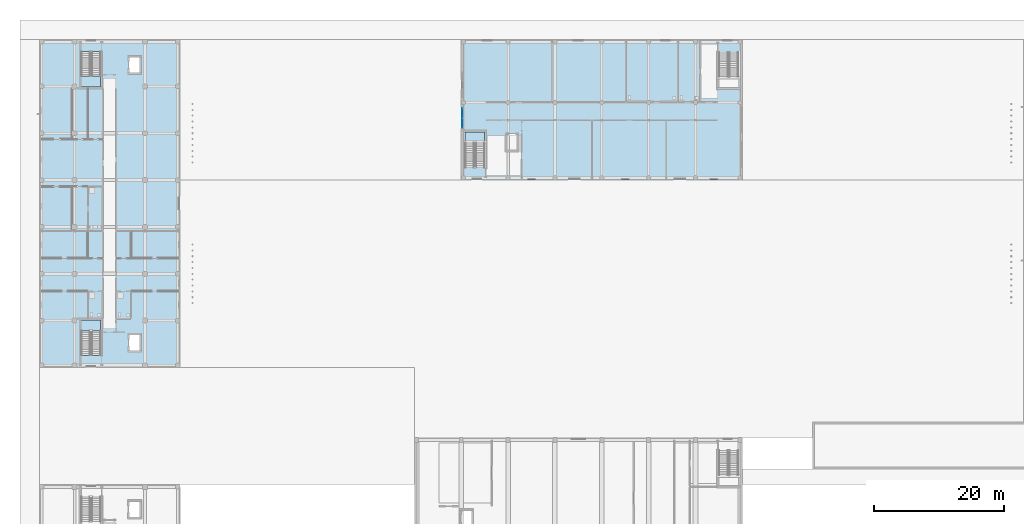
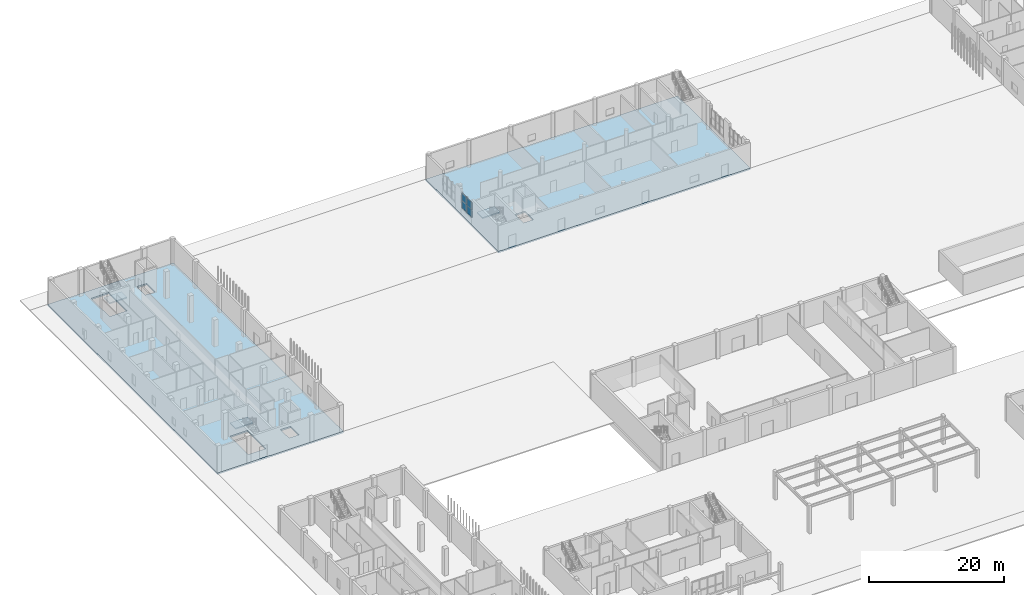
# One storey, part 32 of 85: 5 slabs, 4 plates, 4 elements without a shape of their own.
"""IFC4 building model written with IfcOpenShell, lengths in metres."""

import ifcopenshell
import ifcopenshell.guid

model = None  # the IFC model being written
_history = None  # IfcOwnerHistory: only IFC2X3 demands one
_inside = {}  # id of a spatial element -> (the spatial element, [elements in it])
_under = {}  # id of a project, library or spatial element -> (it, [spatial elements below it])
_declared = {}  # id of a project -> (the project, [libraries it declares])
_typed = {}  # id of a type object -> (the type object, [elements of that type])
_made_of = {}  # id of a material, layer set ... -> (it, [elements and type objects made of it])


def new_model(schema):
    """Start an empty IFC model of exactly this schema.

    Asked for "IFC4X3", IfcOpenShell would pick the latest addendum, in which some entities
    have other attributes; the version numbers below select the first issue.
    IFC2X3 requires an IfcOwnerHistory on every rooted entity: one is made here for all.
    """
    global model, _history
    if schema == "IFC4X3":
        model = ifcopenshell.file(schema_version=(4, 3, 0, 0))
    else:
        model = ifcopenshell.file(schema=schema)
    _inside.clear()
    _under.clear()
    _declared.clear()
    _typed.clear()
    _made_of.clear()
    _history = None
    if model.schema == "IFC2X3":
        org = make("IfcOrganization", Name="unknown")
        user = make(
            "IfcPersonAndOrganization",
            ThePerson=make("IfcPerson", FamilyName="unknown"),
            TheOrganization=org,
        )
        app = make(
            "IfcApplication",
            ApplicationDeveloper=org,
            Version="unknown",
            ApplicationFullName="unknown",
            ApplicationIdentifier="unknown",
        )
        _history = make(
            "IfcOwnerHistory",
            OwningUser=user,
            OwningApplication=app,
            ChangeAction="ADDED",
            CreationDate=0,
        )
    return model


def make(cls, **values):
    """One entity of the class cls with the attributes given. An attribute that is None is left unset."""
    return model.create_entity(
        cls, **{name: value for name, value in values.items() if value is not None}
    )


def rooted(cls, **values):
    """An entity with a GlobalId (a new one), such as an element, a storey or a relation."""
    return make(cls, GlobalId=ifcopenshell.guid.new(), OwnerHistory=_history, **values)


def si_unit(unit_type, name, prefix=None):
    """IfcSIUnit, for example si_unit("LENGTHUNIT", "METRE", prefix="MILLI")."""
    return make("IfcSIUnit", UnitType=unit_type, Prefix=prefix, Name=name)


def derived_unit(unit_type, elements):
    """IfcDerivedUnit: a product of units, each with its exponent."""
    return make(
        "IfcDerivedUnit",
        Elements=[
            make("IfcDerivedUnitElement", Unit=unit, Exponent=power)
            for unit, power in elements
        ],
        UnitType=unit_type,
    )


def assignment(units):
    """IfcUnitAssignment: the units of a project."""
    return None if units is None else make("IfcUnitAssignment", Units=units)


def point(xyz):
    """IfcCartesianPoint."""
    return None if xyz is None else make("IfcCartesianPoint", Coordinates=xyz)


def direction(xyz):
    """IfcDirection."""
    return None if xyz is None else make("IfcDirection", DirectionRatios=xyz)


def frame(location, z_axis=None, x_axis=None):
    """IfcAxis2Placement3D, a coordinate frame: its origin and axes. An axis left out is left unset."""
    return make(
        "IfcAxis2Placement3D",
        Location=point(location),
        Axis=direction(z_axis),
        RefDirection=direction(x_axis),
    )


def frame_2d(location, x_axis=None):
    """IfcAxis2Placement2D, a coordinate frame in the plane: its origin and x axis."""
    return make(
        "IfcAxis2Placement2D", Location=point(location), RefDirection=direction(x_axis)
    )


def origin():
    """The frame at (0, 0, 0) with its axes left unset."""
    return frame((0.0, 0.0, 0.0))


def origin_2d():
    """The frame at (0, 0) in the plane with its x axis left unset."""
    return frame_2d((0.0, 0.0))


def place(relative_to, where):
    """IfcLocalPlacement: puts the frame where relative to a parent placement (None: the world)."""
    return make(
        "IfcLocalPlacement", PlacementRelTo=relative_to, RelativePlacement=where
    )


def context(
    kind, dimensions, precision=None, world=None, true_north=None, identifier=None
):
    """IfcGeometricRepresentationContext, for example the 3D "Model" context."""
    return make(
        "IfcGeometricRepresentationContext",
        ContextIdentifier=identifier,
        ContextType=kind,
        CoordinateSpaceDimension=dimensions,
        Precision=precision,
        WorldCoordinateSystem=world,
        TrueNorth=true_north,
    )


def subcontext(parent, identifier, kind, view, scale=None):
    """IfcGeometricRepresentationSubContext, for example "Body" below "Model"."""
    return make(
        "IfcGeometricRepresentationSubContext",
        ContextIdentifier=identifier,
        ContextType=kind,
        ParentContext=parent,
        TargetScale=scale,
        TargetView=view,
    )


def project(units=None, contexts=None):
    """IfcProject with its units and contexts."""
    return rooted(
        "IfcProject",
        Name="project",
        RepresentationContexts=contexts,
        UnitsInContext=assignment(units),
    )


def spatial(cls, under=None, at=None, **own):
    """A site, building, storey or space (cls), placed at a placement, below another one or the project."""
    s = rooted(cls, ObjectPlacement=at, **own)
    if under is not None:
        _under.setdefault(under.id(), (under, []))[1].append(s)
    return s


def polyline(points):
    """IfcPolyline through the points."""
    return make("IfcPolyline", Points=[point(p) for p in points])


def profile(cls, at=None, kind="AREA", **sizes):
    """A parametric profile (cls). Its sizes go by their IFC names, for example OverallWidth=200.0."""
    return make(cls, ProfileType=kind, Position=at, **sizes)


def rectangle(**sizes):
    """IfcRectangleProfileDef."""
    return profile("IfcRectangleProfileDef", **sizes)


def outline(outer, holes=None, kind="AREA"):
    """IfcArbitraryClosedProfileDef: a profile drawn as a closed curve; with holes, ...WithVoids."""
    if holes is None:
        return make("IfcArbitraryClosedProfileDef", ProfileType=kind, OuterCurve=outer)
    return make(
        "IfcArbitraryProfileDefWithVoids",
        ProfileType=kind,
        OuterCurve=outer,
        InnerCurves=holes,
    )


def extrude(swept, where, along, depth):
    """IfcExtrudedAreaSolid: the profile swept, set in the frame where, extruded along a direction by depth."""
    return make(
        "IfcExtrudedAreaSolid",
        SweptArea=swept,
        Position=where,
        ExtrudedDirection=direction(along),
        Depth=depth,
    )


def shape(context_of_items, identifier, shape_type, items):
    """IfcShapeRepresentation: the items that make up one representation, for example the "Body"."""
    return make(
        "IfcShapeRepresentation",
        ContextOfItems=context_of_items,
        RepresentationIdentifier=identifier,
        RepresentationType=shape_type,
        Items=items,
    )


def material(Name=None, Category=None):
    """IfcMaterial."""
    return make("IfcMaterial", Name=Name, Category=Category)


def layer(
    of_material, thickness, ventilated=None, Name=None, Category=None, Priority=None
):
    """IfcMaterialLayer: one layer of a wall or slab, of a material (None: an air gap)."""
    return make(
        "IfcMaterialLayer",
        Material=of_material,
        LayerThickness=thickness,
        IsVentilated=ventilated,
        Name=Name,
        Category=Category,
        Priority=Priority,
    )


def layer_set(layers, Name=None):
    """IfcMaterialLayerSet."""
    return make("IfcMaterialLayerSet", MaterialLayers=layers, LayerSetName=Name)


def made_of(thing, what):
    """Note that an element or type object is made of a material, layer set ...; save() writes the relation."""
    if what is not None:
        _made_of.setdefault(what.id(), (what, []))[1].append(thing)
    return thing


def type_object(cls, material=None, **own):
    """A type object (cls), such as IfcWallType, which elements share."""
    return made_of(rooted(cls, **own), material)


def element(
    cls,
    number,
    at=None,
    inside=None,
    cuts=None,
    type_object=None,
    material=None,
    context=None,
    identifier="Body",
    shape_type=None,
    held_by="IfcProductDefinitionShape",
    body=None,
    shapes=None,
    **own,
):
    """One element of the class cls, such as IfcWall. Its Tag is "e" and its number.

    at: its placement. inside: the storey or other place that contains it. cuts: it is an
    opening in that element (IfcRelVoidsElement). A single representation is given by context,
    identifier, shape_type and body (its items); several are given by shapes. held_by: the class
    of the entity that holds the representations. save() writes the other relations.
    """
    e = rooted(cls, Tag="e%d" % number, ObjectPlacement=at, **own)
    if body is not None:
        shapes = [shape(context, identifier, shape_type, body)]
    if shapes is not None:
        e.Representation = make(held_by, Representations=shapes)
    if inside is not None:
        _inside.setdefault(inside.id(), (inside, []))[1].append(e)
    if cuts is not None:
        rooted(
            "IfcRelVoidsElement", RelatingBuildingElement=cuts, RelatedOpeningElement=e
        )
    if type_object is not None:
        _typed.setdefault(type_object.id(), (type_object, []))[1].append(e)
    return made_of(e, material)


def aggregate(whole, parts):
    """IfcRelAggregates: a whole, such as a stair, and the parts it consists of."""
    return rooted("IfcRelAggregates", RelatingObject=whole, RelatedObjects=parts)


def save(model, path):
    """Write the relations noted so far, then the file.

    IfcRelAggregates (storeys below a building ...), IfcRelContainedInSpatialStructure (elements
    in a storey), IfcRelDefinesByType, IfcRelAssociatesMaterial and IfcRelDeclares: one each for
    every whole, place, type object, material and project.
    """
    for whole, parts in _under.values():
        aggregate(whole, parts)
    for where, things in _inside.values():
        rooted(
            "IfcRelContainedInSpatialStructure",
            RelatedElements=things,
            RelatingStructure=where,
        )
    for kind, things in _typed.values():
        rooted("IfcRelDefinesByType", RelatedObjects=things, RelatingType=kind)
    for what, things in _made_of.values():
        rooted("IfcRelAssociatesMaterial", RelatedObjects=things, RelatingMaterial=what)
    for by, libraries in _declared.values():
        rooted("IfcRelDeclares", RelatingContext=by, RelatedDefinitions=libraries)
    model.write(path)


model = new_model("IFC4")

# Units and contexts
model_context = context("Model", 3, precision=1e-05, world=origin(), true_north=direction((0.0, 1.0)))
body_context = subcontext(model_context, "Body", "Model", "MODEL_VIEW")
ifc_project = project(units=[si_unit("LENGTHUNIT", "METRE"), si_unit("AREAUNIT", "SQUARE_METRE"), si_unit("VOLUMEUNIT", "CUBIC_METRE"), si_unit("PLANEANGLEUNIT", "RADIAN"), si_unit("MASSUNIT", "GRAM", prefix="KILO"), derived_unit("THERMALTRANSMITTANCEUNIT", [(si_unit("MASSUNIT", "GRAM", prefix="KILO"), 1), (si_unit("TIMEUNIT", "SECOND"), -3), (si_unit("THERMODYNAMICTEMPERATUREUNIT", "KELVIN"), -1)])], contexts=[model_context])

# Site, building, storey
site_placement = place(None, origin())
site = spatial("IfcSite", under=ifc_project, at=site_placement, CompositionType="ELEMENT")
building_placement = place(site_placement, origin())
building = spatial("IfcBuilding", under=site, at=building_placement, Name="Ochrekiln Boulevard Commons", CompositionType="ELEMENT")
storey_placement = place(building_placement, origin())
storey = spatial("IfcBuildingStorey", under=building, at=storey_placement, Name="L00", CompositionType="ELEMENT", Elevation=0.0)

# Curtain wall, plates
ifc_material_1 = material(Name="Bronze-anodized extruded aluminium 6063-T6", Category="aluminium")
ifc_layer_1 = layer(ifc_material_1, 0.219970703125)
ifc_layer_set_1 = layer_set([ifc_layer_1], Name="Bronze-anodized extruded aluminium 6063-T6")
curtain_wall_type = type_object("IfcCurtainWallType", Name="CW-NUR", PredefinedType="USERDEFINED", material=ifc_layer_set_1)
curtain_wall_placement = place(storey_placement, origin())
curtain_wall = element("IfcCurtainWall", 1, at=curtain_wall_placement, inside=storey, type_object=curtain_wall_type, Name="Nursery L00 Garden End Curtain Wall W-1", ObjectType="GLAZED CURTAIN WALL", PredefinedType="USERDEFINED")
ifc_material_2 = material(Name="Spectrally selective low-E insulated glazing", Category="glass")
ifc_layer_2 = layer(ifc_material_2, 0.0419921875)
ifc_layer_set_2 = layer_set([ifc_layer_2], Name="Spectrally selective low-E insulated glazing")
plate_type = type_object("IfcPlateType", Name="CWP-GLZ-4", PredefinedType="CURTAIN_PANEL", material=ifc_layer_set_2)
plate_1_placement = place(storey_placement, frame((64.9599609375, 105.9912109375, 1.1748046875), z_axis=(0.0, 0.0, 1.0), x_axis=(0.0, 1.0, 0.0)))
plate_1 = element("IfcPlate", 2, at=plate_1_placement, type_object=plate_type, Name="CW-05 panel 1.1", PredefinedType="CURTAIN_PANEL", context=body_context, shape_type="SweptSolid", body=[
    extrude(rectangle(XDim=1.452392578125, YDim=0.0419921875, at=origin_2d()), origin(), (0.0, 0.0, 1.0), 1.322509765625),
])
plate_2_placement = place(storey_placement, frame((64.9599609375, 105.9912109375, 2.5625), z_axis=(0.0, 0.0, 1.0), x_axis=(0.0, 1.0, 0.0)))
plate_2 = element("IfcPlate", 3, at=plate_2_placement, type_object=plate_type, Name="CW-05 panel 1.2", PredefinedType="CURTAIN_PANEL", context=body_context, shape_type="SweptSolid", body=[
    extrude(rectangle(XDim=1.452392578125, YDim=0.0419921875, at=origin_2d()), origin(), (0.0, 0.0, 1.0), 1.322509765625),
])
plate_3_placement = place(storey_placement, frame((64.9599609375, 107.5087890625, 1.1748046875), z_axis=(0.0, 0.0, 1.0), x_axis=(0.0, 1.0, 0.0)))
plate_3 = element("IfcPlate", 4, at=plate_3_placement, type_object=plate_type, Name="CW-05 panel 2.1", PredefinedType="CURTAIN_PANEL", context=body_context, shape_type="SweptSolid", body=[
    extrude(rectangle(XDim=1.452392578125, YDim=0.0419921875, at=origin_2d()), origin(), (0.0, 0.0, 1.0), 1.322509765625),
])
plate_4_placement = place(storey_placement, frame((64.9599609375, 107.5087890625, 2.5625), z_axis=(0.0, 0.0, 1.0), x_axis=(0.0, 1.0, 0.0)))
plate_4 = element("IfcPlate", 5, at=plate_4_placement, type_object=plate_type, Name="CW-05 panel 2.2", PredefinedType="CURTAIN_PANEL", context=body_context, shape_type="SweptSolid", body=[
    extrude(rectangle(XDim=1.452392578125, YDim=0.0419921875, at=origin_2d()), origin(), (0.0, 0.0, 1.0), 1.322509765625),
])
aggregate(curtain_wall, [plate_1, plate_2, plate_3, plate_4])

# Slabs
ifc_material_3 = material(Name="Concrete C35/45", Category="concrete")
ifc_layer_3 = layer(ifc_material_3, 0.27001953125)
ifc_layer_set_3 = layer_set([ifc_layer_3], Name="Concrete C35/45")
slab_type_1 = type_object("IfcSlabType", Name="SLB-CIV-270", PredefinedType="FLOOR", material=ifc_layer_set_3)
slab_1_placement = place(storey_placement, frame((0.0, 0.0, -0.280029296875)))
element("IfcSlab", 6, at=slab_1_placement, inside=storey, type_object=slab_type_1, Name="Nursery Pavilion L00 Floor Slab", PredefinedType="FLOOR", context=body_context, shape_type="SweptSolid", body=[
    extrude(outline(polyline([(64.800048828125, 97.199951171875), (108.0, 97.199951171875), (108.0, 118.800048828125), (64.800048828125, 118.800048828125), (64.800048828125, 97.199951171875)]), holes=[polyline([(71.75, 101.75), (73.449951171875, 101.75), (73.449951171875, 104.25), (71.75, 104.25), (71.75, 101.75)])]), origin(), (0.0, 0.0, 1.0), 0.280029296875),
])
ifc_layer_4 = layer(ifc_material_3, 0.280029296875)
ifc_layer_set_4 = layer_set([ifc_layer_4], Name="Concrete C35/45")
slab_type_2 = type_object("IfcSlabType", Name="SLB-GND-280", PredefinedType="FLOOR", material=ifc_layer_set_4)
slab_2_placement = place(storey_placement, frame((0.0, 0.0, -0.280029296875)))
element("IfcSlab", 7, at=slab_2_placement, inside=storey, type_object=slab_type_2, Name="Block A L00 Reinforced Concrete Floor Slab", PredefinedType="FLOOR", context=body_context, shape_type="SweptSolid", body=[
    extrude(outline(polyline([(0.0, 68.39990234375), (21.60009765625, 68.39990234375), (21.60009765625, 118.800048828125), (0.0, 118.800048828125), (0.0, 68.39990234375)]), holes=[polyline([(9.39990234375, 70.2705078125), (9.39990234375, 75.719970703125), (6.39990234375, 75.719970703125), (6.39990234375, 70.2705078125), (9.39990234375, 70.2705078125)]), polyline([(6.39990234375, 116.929443359375), (6.39990234375, 111.47998046875), (9.39990234375, 111.47998046875), (9.39990234375, 116.929443359375), (6.39990234375, 116.929443359375)]), polyline([(13.75, 70.949951171875), (15.449951171875, 70.949951171875), (15.449951171875, 73.449951171875), (13.75, 73.449951171875), (13.75, 70.949951171875)]), polyline([(13.75, 113.64990234375), (15.449951171875, 113.64990234375), (15.449951171875, 116.14990234375), (13.75, 116.14990234375), (13.75, 113.64990234375)])]), origin(), (0.0, 0.0, 1.0), 0.280029296875),
])

# Stair, slab
stair_type = type_object("IfcStairType", Name="STR-DL-490", PredefinedType="TWO_STRAIGHT_RUN_STAIR", material=ifc_material_3)
stair_1_placement = place(storey_placement, origin())
stair_1 = element("IfcStair", 8, at=stair_1_placement, inside=storey, type_object=stair_type, Name="L00 Enclosed Exit Stair ST-A1", PredefinedType="TWO_STRAIGHT_RUN_STAIR")
ifc_layer_5 = layer(ifc_material_3, 0.199951171875)
ifc_layer_set_5 = layer_set([ifc_layer_5], Name="Concrete C35/45")
slab_type_3 = type_object("IfcSlabType", Name="SLB-LND-200", PredefinedType="LANDING", material=ifc_layer_set_5)
slab_3_placement = place(storey_placement, frame((0.0, 0.0, 2.25)))
slab_3 = element("IfcSlab", 9, at=slab_3_placement, type_object=slab_type_3, Name="ST-A1 landing 1", PredefinedType="LANDING", context=body_context, shape_type="SweptSolid", body=[
    extrude(outline(polyline([(9.39990234375, 74.0400390625), (9.39990234375, 75.719970703125), (6.39990234375, 75.719970703125), (6.39990234375, 74.0400390625), (9.39990234375, 74.0400390625)])), origin(), (0.0, 0.0, 1.0), 0.199951171875),
])
aggregate(stair_1, [slab_3])

stair_2_placement = place(storey_placement, origin())
stair_2 = element("IfcStair", 10, at=stair_2_placement, inside=storey, type_object=stair_type, Name="L00 Enclosed Exit Stair ST-A2", PredefinedType="TWO_STRAIGHT_RUN_STAIR")
slab_4_placement = place(storey_placement, frame((0.0, 0.0, 2.25)))
slab_4 = element("IfcSlab", 11, at=slab_4_placement, type_object=slab_type_3, Name="ST-A2 landing 1", PredefinedType="LANDING", context=body_context, shape_type="SweptSolid", body=[
    extrude(outline(polyline([(6.39990234375, 113.159912109375), (6.39990234375, 111.47998046875), (9.39990234375, 111.47998046875), (9.39990234375, 113.159912109375), (6.39990234375, 113.159912109375)])), origin(), (0.0, 0.0, 1.0), 0.199951171875),
])
aggregate(stair_2, [slab_4])

stair_3_placement = place(storey_placement, origin())
stair_3 = element("IfcStair", 12, at=stair_3_placement, inside=storey, type_object=stair_type, Name="L00 Enclosed Exit Stair ST-N1", PredefinedType="TWO_STRAIGHT_RUN_STAIR")
slab_5_placement = place(storey_placement, frame((0.0, 0.0, 2.25)))
slab_5 = element("IfcSlab", 13, at=slab_5_placement, type_object=slab_type_3, Name="ST-N1 landing 1", PredefinedType="LANDING", context=body_context, shape_type="SweptSolid", body=[
    extrude(outline(polyline([(68.39990234375, 102.919921875), (68.39990234375, 104.60009765625), (65.39990234375, 104.60009765625), (65.39990234375, 102.919921875), (68.39990234375, 102.919921875)])), origin(), (0.0, 0.0, 1.0), 0.199951171875),
])
aggregate(stair_3, [slab_5])

save(model, "model.ifc")
